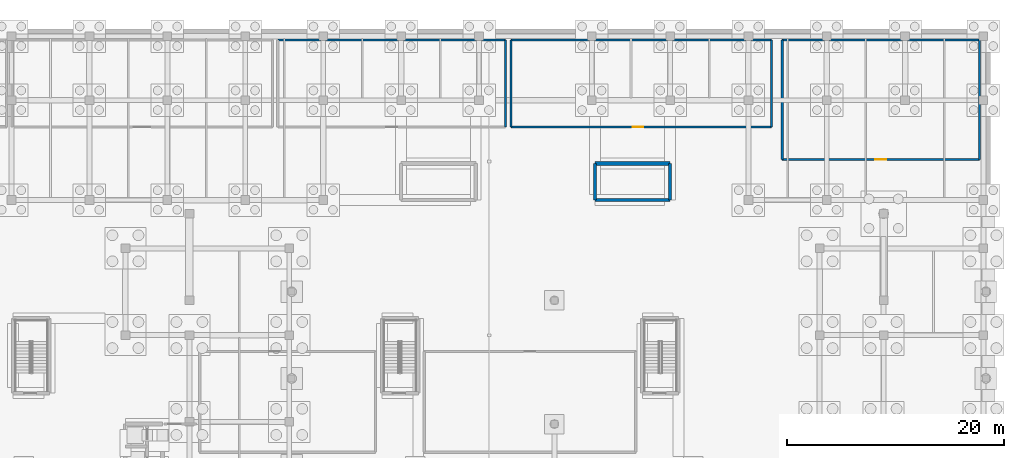
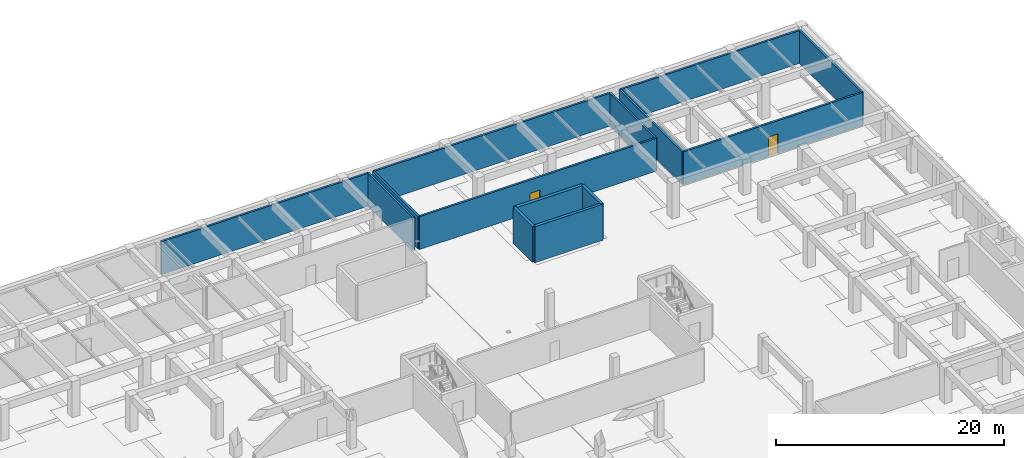
# One storey, part 27 of 35: 14 walls, 2 doors, 2 openings.
"""IFC4 building model written with IfcOpenShell, lengths in metres."""

from ifc_helpers import new_model, si_unit, direction, frame, frame_2d, origin, place, context, subcontext, project, spatial, rectangle, extrude, material, layer, layer_set, type_object, element, fill, save


model = new_model("IFC4")

# Units and contexts
model_context = context("Model", 3, precision=1e-05, world=origin(), true_north=direction((0.0, 1.0)))
body_context = subcontext(model_context, "Body", "Model", "MODEL_VIEW")
ifc_project = project(units=[si_unit("LENGTHUNIT", "METRE"), si_unit("AREAUNIT", "SQUARE_METRE"), si_unit("VOLUMEUNIT", "CUBIC_METRE"), si_unit("PLANEANGLEUNIT", "RADIAN"), si_unit("MASSUNIT", "GRAM", prefix="KILO")], contexts=[model_context])

# Site, building, storey
site_placement = place(None, origin())
site = spatial("IfcSite", under=ifc_project, at=site_placement, CompositionType="ELEMENT")
building_placement = place(site_placement, origin())
building = spatial("IfcBuilding", under=site, at=building_placement, Name="Keldmere Railside Commons", CompositionType="ELEMENT")
storey_placement = place(building_placement, frame((0.0, 0.0, -3.840087890625)))
storey = spatial("IfcBuildingStorey", under=building, at=storey_placement, Name="B1", CompositionType="ELEMENT", Elevation=-3.840087890625)

# Walls
ifc_material_1 = material(Name="Concrete H-35 (C35/45)", Category="concrete")
ifc_layer_1 = layer(ifc_material_1, 0.300048828125, Name="Interior Shear Wall 300")
ifc_layer_set_1 = layer_set([ifc_layer_1], Name="Concrete H-35 (C35/45)")
wall_type_1 = type_object("IfcWallType", Name="Interior Shear Wall 300", PredefinedType="SHEAR", material=ifc_layer_set_1)
wall_1_placement = place(storey_placement, frame((147.75, 100.449951171875, 0.0), z_axis=(0.0, 0.0, 1.0), x_axis=(1.0, 0.0, 0.0)))
element("IfcWall", 1, at=wall_1_placement, inside=storey, type_object=wall_type_1, Name="ISW-2 COREA2S-B1-0704", PredefinedType="SHEAR", context=body_context, shape_type="SweptSolid", body=[
    extrude(rectangle(XDim=6.89990234375, YDim=0.300048828125, at=frame_2d((3.449951171875, 0.0))), origin(), (0.0, 0.0, 1.0), 3.840087890625),
])
for number, where, z_axis, x_axis, name in (
    (2, (147.75, 103.820068359375, 0.0), (0.0, 0.0, 1.0), (0.0, -1.0, 0.0), "ISW-2 COREA2W-B1-0706"),
    (3, (154.64990234375, 100.449951171875, 0.0), (0.0, 0.0, 1.0), (0.0, 1.0, 0.0), "ISW-2 COREA2E-B1-0707"),
):
    element("IfcWall", number, at=place(storey_placement, frame(where, z_axis=z_axis, x_axis=x_axis)), inside=storey, type_object=wall_type_1, Name=name, PredefinedType="SHEAR", context=body_context, shape_type="SweptSolid", body=[
        extrude(rectangle(XDim=3.3701171875, YDim=0.300048828125, at=frame_2d((1.68505859375, 0.0))), origin(), (0.0, 0.0, 1.0), 3.840087890625),
    ])
ifc_layer_2 = layer(ifc_material_1, 0.340087890625, Name="Interior Shear Wall 340")
ifc_layer_set_2 = layer_set([ifc_layer_2], Name="Concrete H-35 (C35/45)")
wall_type_2 = type_object("IfcWallType", Name="Interior Shear Wall 340", PredefinedType="SHEAR", material=ifc_layer_set_2)
wall_2_placement = place(storey_placement, frame((154.64990234375, 103.820068359375, 0.0), z_axis=(0.0, 0.0, 1.0), x_axis=(-1.0, 0.0, 0.0)))
element("IfcWall", 4, at=wall_2_placement, inside=storey, type_object=wall_type_2, Name="ISW-1 COREA2N-B1-0705", PredefinedType="SHEAR", context=body_context, shape_type="SweptSolid", body=[
    extrude(rectangle(XDim=6.89990234375, YDim=0.340087890625, at=frame_2d((3.449951171875, 0.0))), origin(), (0.0, 0.0, 1.0), 3.840087890625),
])

# Wall, opening, door
ifc_material_2 = material(Name="Terracotta Brick Masonry", Category="masonry")
ifc_layer_3 = layer(ifc_material_2, 0.199951171875, Name="Plant Masonry Infill Wall 200")
ifc_layer_set_3 = layer_set([ifc_layer_3], Name="Terracotta Brick Masonry")
wall_type_3 = type_object("IfcWallType", Name="Plant Masonry Infill Wall 200", PredefinedType="SOLIDWALL", material=ifc_layer_set_3)
wall_3_placement = place(storey_placement, frame((140.0, 107.199951171875, 0.0), z_axis=(0.0, 0.0, 1.0), x_axis=(1.0, 0.0, 0.0)))
wall_3 = element("IfcWall", 5, at=wall_3_placement, inside=storey, type_object=wall_type_3, Name="MW-1 IW-B1-0013", PredefinedType="SOLIDWALL", context=body_context, shape_type="SweptSolid", body=[
    extrude(rectangle(XDim=24.0, YDim=0.199951171875, at=frame_2d((12.0, 0.0))), origin(), (0.0, 0.0, 1.0), 3.52001953125),
])
opening_1_placement = place(wall_3_placement, frame((11.199951171875, 0.0, 0.0)))
opening_1 = element("IfcOpeningElement", 6, at=opening_1_placement, cuts=wall_3, Name="Opening FD-9", PredefinedType="OPENING", context=body_context, shape_type="SweptSolid", body=[
    extrude(rectangle(XDim=1.0, YDim=2.10009765625, at=frame_2d((0.5, 1.050048828125))), frame((0.0, 0.10986328125, 0.0), z_axis=(0.0, -1.0, 0.0), x_axis=(1.0, 0.0, 0.0)), (0.0, 0.0, 1.0), 0.219970703125),
])
ifc_material_3 = material(Name="Steel F-24 (S235)", Category="steel")
door_type = type_object("IfcDoorType", Name="Waste & Storage Fire Door 1000x2100", OperationType="NOTDEFINED", PredefinedType="DOOR", material=ifc_material_3)
door_1_placement = place(opening_1_placement, origin())
door_1 = element("IfcDoor", 7, at=door_1_placement, inside=storey, type_object=door_type, Name="FD-9 IDR-B1-0004", OperationType="SINGLE_SWING_RIGHT", OverallHeight=2.10009765625, OverallWidth=1.0, PredefinedType="DOOR", context=body_context, shape_type="SweptSolid", body=[
    extrude(rectangle(XDim=1.0, YDim=2.10009765625, at=frame_2d((0.5, 1.050048828125))), frame((0.0, 0.02490234375, 0.0), z_axis=(0.0, -1.0, 0.0), x_axis=(1.0, 0.0, 0.0)), (0.0, 0.0, 1.0), 0.050048828125),
])
fill(opening_1, door_1)

# Walls
wall_4_placement = place(storey_placement, frame((164.0, 107.199951171875, 0.0), z_axis=(0.0, 0.0, 1.0), x_axis=(0.0, 1.0, 0.0)))
element("IfcWall", 8, at=wall_4_placement, inside=storey, type_object=wall_type_3, Name="MW-1 IW-B1-0014", PredefinedType="SOLIDWALL", context=body_context, shape_type="SweptSolid", body=[
    extrude(rectangle(XDim=8.0, YDim=0.199951171875, at=frame_2d((4.0, 0.0))), origin(), (0.0, 0.0, 1.0), 3.52001953125),
])
wall_5_placement = place(storey_placement, frame((164.0, 115.199951171875, 0.0), z_axis=(0.0, 0.0, 1.0), x_axis=(-1.0, 0.0, 0.0)))
element("IfcWall", 9, at=wall_5_placement, inside=storey, type_object=wall_type_3, Name="MW-1 IW-B1-0015", PredefinedType="SOLIDWALL", context=body_context, shape_type="SweptSolid", body=[
    extrude(rectangle(XDim=24.0, YDim=0.199951171875, at=frame_2d((12.0, 0.0))), origin(), (0.0, 0.0, 1.0), 3.52001953125),
])
for number, where, z_axis, x_axis, name in (
    (10, (140.0, 115.199951171875, 0.0), (0.0, 0.0, 1.0), (0.0, -1.0, 0.0), "MW-1 IW-B1-0016"),
    (11, (139.5, 107.199951171875, 0.0), (0.0, 0.0, 1.0), (0.0, 1.0, 0.0), "MW-1 IW-B1-0062"),
):
    element("IfcWall", number, at=place(storey_placement, frame(where, z_axis=z_axis, x_axis=x_axis)), inside=storey, type_object=wall_type_3, Name=name, PredefinedType="SOLIDWALL", context=body_context, shape_type="SweptSolid", body=[
        extrude(rectangle(XDim=8.0, YDim=0.199951171875, at=frame_2d((4.0, 0.0))), origin(), (0.0, 0.0, 1.0), 3.52001953125),
    ])
wall_6_placement = place(storey_placement, frame((139.5, 115.199951171875, 0.0), z_axis=(0.0, 0.0, 1.0), x_axis=(-1.0, 0.0, 0.0)))
element("IfcWall", 12, at=wall_6_placement, inside=storey, type_object=wall_type_3, Name="MW-1 IW-B1-0063", PredefinedType="SOLIDWALL", context=body_context, shape_type="SweptSolid", body=[
    extrude(rectangle(XDim=21.0, YDim=0.199951171875, at=frame_2d((10.5, 0.0))), origin(), (0.0, 0.0, 1.0), 3.52001953125),
])

# Wall, opening, door
wall_7_placement = place(storey_placement, frame((165.0, 104.199951171875, 0.0), z_axis=(0.0, 0.0, 1.0), x_axis=(1.0, 0.0, 0.0)))
wall_7 = element("IfcWall", 13, at=wall_7_placement, inside=storey, type_object=wall_type_3, Name="MW-1 IW-B1-0077", PredefinedType="SOLIDWALL", context=body_context, shape_type="SweptSolid", body=[
    extrude(rectangle(XDim=18.199951171875, YDim=0.199951171875, at=frame_2d((9.10009765625, 0.0))), origin(), (0.0, 0.0, 1.0), 3.52001953125),
])
opening_2_placement = place(wall_7_placement, frame((8.60009765625, 0.0, 0.0)))
opening_2 = element("IfcOpeningElement", 14, at=opening_2_placement, cuts=wall_7, Name="Opening FD-9", PredefinedType="OPENING", context=body_context, shape_type="SweptSolid", body=[
    extrude(rectangle(XDim=1.0, YDim=2.10009765625, at=frame_2d((0.5, 1.050048828125))), frame((0.0, 0.10986328125, 0.0), z_axis=(0.0, -1.0, 0.0), x_axis=(1.0, 0.0, 0.0)), (0.0, 0.0, 1.0), 0.219970703125),
])
door_2_placement = place(opening_2_placement, origin())
door_2 = element("IfcDoor", 15, at=door_2_placement, inside=storey, type_object=door_type, Name="FD-9 IDR-B1-0020", OperationType="SINGLE_SWING_RIGHT", OverallHeight=2.10009765625, OverallWidth=1.0, PredefinedType="DOOR", context=body_context, shape_type="SweptSolid", body=[
    extrude(rectangle(XDim=1.0, YDim=2.10009765625, at=frame_2d((0.5, 1.050048828125))), frame((0.0, 0.02490234375, 0.0), z_axis=(0.0, -1.0, 0.0), x_axis=(1.0, 0.0, 0.0)), (0.0, 0.0, 1.0), 0.050048828125),
])
fill(opening_2, door_2)

# Walls
wall_8_placement = place(storey_placement, frame((183.199951171875, 104.199951171875, 0.0), z_axis=(0.0, 0.0, 1.0), x_axis=(0.0, 1.0, 0.0)))
element("IfcWall", 16, at=wall_8_placement, inside=storey, type_object=wall_type_3, Name="MW-1 IW-B1-0078", PredefinedType="SOLIDWALL", context=body_context, shape_type="SweptSolid", body=[
    extrude(rectangle(XDim=11.0, YDim=0.199951171875, at=frame_2d((5.5, 0.0))), origin(), (0.0, 0.0, 1.0), 3.52001953125),
])
wall_9_placement = place(storey_placement, frame((183.199951171875, 115.199951171875, 0.0), z_axis=(0.0, 0.0, 1.0), x_axis=(-1.0, 0.0, 0.0)))
element("IfcWall", 17, at=wall_9_placement, inside=storey, type_object=wall_type_3, Name="MW-1 IW-B1-0079", PredefinedType="SOLIDWALL", context=body_context, shape_type="SweptSolid", body=[
    extrude(rectangle(XDim=18.199951171875, YDim=0.199951171875, at=frame_2d((9.10009765625, 0.0))), origin(), (0.0, 0.0, 1.0), 3.52001953125),
])
wall_10_placement = place(storey_placement, frame((165.0, 115.199951171875, 0.0), z_axis=(0.0, 0.0, 1.0), x_axis=(0.0, -1.0, 0.0)))
element("IfcWall", 18, at=wall_10_placement, inside=storey, type_object=wall_type_3, Name="MW-1 IW-B1-0080", PredefinedType="SOLIDWALL", context=body_context, shape_type="SweptSolid", body=[
    extrude(rectangle(XDim=11.0, YDim=0.199951171875, at=frame_2d((5.5, 0.0))), origin(), (0.0, 0.0, 1.0), 3.52001953125),
])

save(model, "model.ifc")
